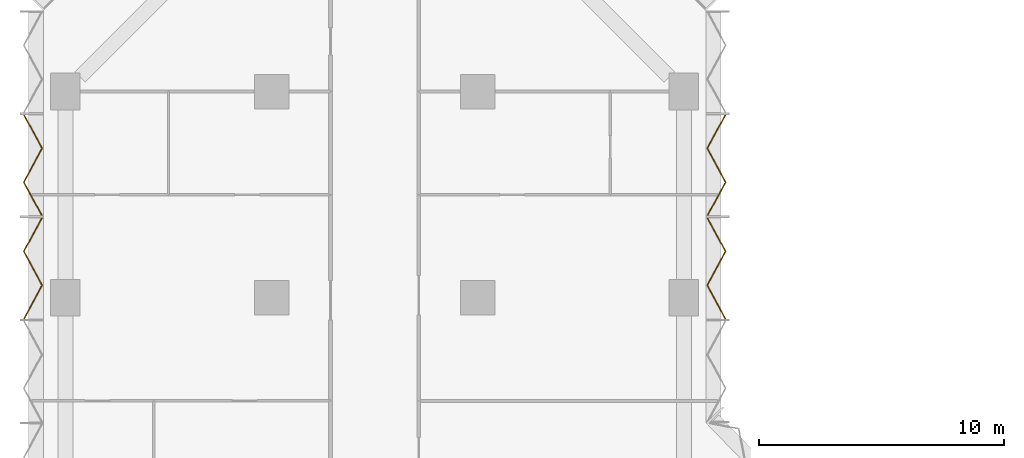
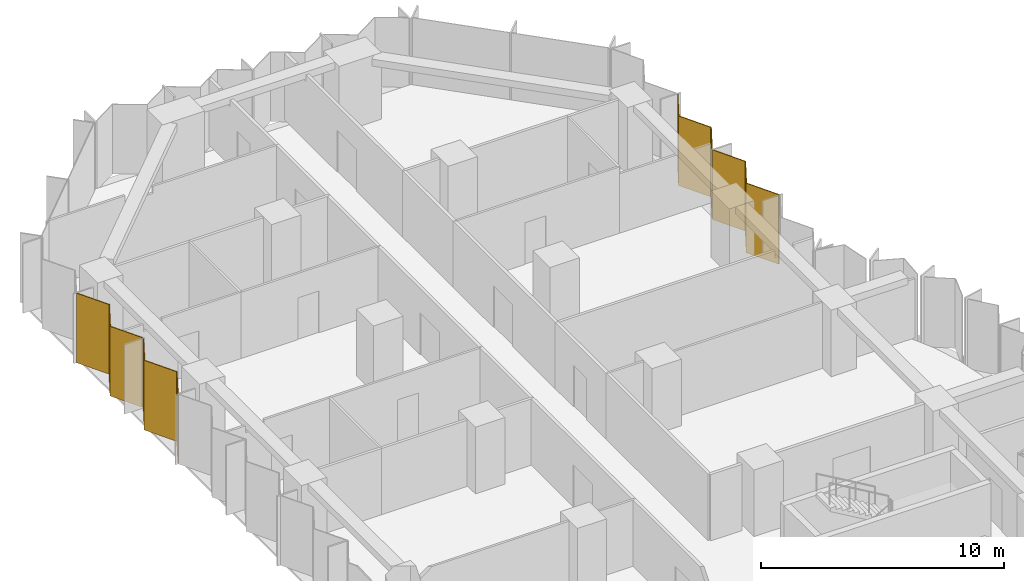
# One storey, part 15 of 15: 4 coverings, 2 elements without a shape of their own.
"""IFC4 building model written with IfcOpenShell, lengths in metres."""

from ifc_helpers import new_model, si_unit, direction, frame, origin, place, context, subcontext, project, spatial, polyline, outline, extrude, material, layer, layer_set, type_object, element, aggregate, save


model = new_model("IFC4")

# Units and contexts
model_context = context("Model", 3, precision=1e-05, world=origin(), true_north=direction((0.0, 1.0)))
body_context = subcontext(model_context, "Body", "Model", "MODEL_VIEW")
ifc_project = project(units=[si_unit("LENGTHUNIT", "METRE"), si_unit("AREAUNIT", "SQUARE_METRE"), si_unit("VOLUMEUNIT", "CUBIC_METRE"), si_unit("PLANEANGLEUNIT", "RADIAN"), si_unit("MASSUNIT", "GRAM", prefix="KILO")], contexts=[model_context])

# Site, building, storey
site_placement = place(None, origin())
site = spatial("IfcSite", under=ifc_project, at=site_placement, CompositionType="ELEMENT")
building_placement = place(site_placement, origin())
building = spatial("IfcBuilding", under=site, at=building_placement, Name="Brevane Broadcast Tower", CompositionType="ELEMENT")
storey_placement = place(building_placement, frame((0.0, 0.0, 61.699951171875)))
storey = spatial("IfcBuildingStorey", under=building, at=storey_placement, Name="L13", CompositionType="ELEMENT", Elevation=61.699951171875)

# Curtain wall, coverings
ifc_material_1 = material(Name="Aluminium 6063-T6 bronze anodised", Category="aluminium")
curtain_wall_type = type_object("IfcCurtainWallType", Name="CW-1 curtain wall", PredefinedType="NOTDEFINED", material=ifc_material_1)
curtain_wall_1_placement = place(storey_placement, origin())
curtain_wall_1 = element("IfcCurtainWall", 1, at=curtain_wall_1_placement, inside=storey, type_object=curtain_wall_type, Name="CW-1 typical tilted unit L13 north arm east face", PredefinedType="NOTDEFINED")
ifc_material_2 = material(Name="Back-painted bronze glass shadow-box", Category="glass")
ifc_layer = layer(ifc_material_2, 0.0400390625)
ifc_layer_set = layer_set([ifc_layer], Name="Shadow-box panel 40")
covering_type = type_object("IfcCoveringType", Name="Shadow-box panel 40", PredefinedType="CLADDING", material=ifc_layer_set)
covering_1_placement = place(storey_placement, frame((0.0, 0.0, -0.14990234375)))
covering_1 = element("IfcCovering", 2, at=covering_1_placement, type_object=covering_type, Name="Shadow-box panel", PredefinedType="CLADDING", context=body_context, shape_type="SweptSolid", body=[
    extrude(outline(polyline([(26.87158203125, 49.534912109375), (26.9169921875, 49.534912109375), (26.172607421875, 50.91162109375), (26.9169921875, 52.288330078125), (26.172607421875, 53.6650390625), (26.127197265625, 53.6650390625), (26.87158203125, 52.288330078125), (26.127197265625, 50.91162109375), (26.87158203125, 49.534912109375)])), origin(), (0.0, 0.0, 1.0), 3.5),
])
covering_2_placement = place(storey_placement, frame((0.0, 0.0, -0.14990234375)))
covering_2 = element("IfcCovering", 3, at=covering_2_placement, type_object=covering_type, Name="Shadow-box panel", PredefinedType="CLADDING", context=body_context, shape_type="SweptSolid", body=[
    extrude(outline(polyline([(26.127197265625, 53.735107421875), (26.172607421875, 53.735107421875), (26.9169921875, 55.11181640625), (26.172607421875, 56.48828125), (26.9169921875, 57.864990234375), (26.87158203125, 57.864990234375), (26.127197265625, 56.48828125), (26.87158203125, 55.11181640625), (26.127197265625, 53.735107421875)])), origin(), (0.0, 0.0, 1.0), 3.5),
])
aggregate(curtain_wall_1, [covering_1, covering_2])

curtain_wall_2_placement = place(storey_placement, origin())
curtain_wall_2 = element("IfcCurtainWall", 4, at=curtain_wall_2_placement, inside=storey, type_object=curtain_wall_type, Name="CW-1 typical tilted unit L13 west face", PredefinedType="NOTDEFINED")
covering_3_placement = place(storey_placement, frame((0.0, 0.0, -0.14990234375)))
covering_3 = element("IfcCovering", 5, at=covering_3_placement, type_object=covering_type, Name="Shadow-box panel", PredefinedType="CLADDING", context=body_context, shape_type="SweptSolid", body=[
    extrude(outline(polyline([(-1.671630859375, 57.864990234375), (-1.717041015625, 57.864990234375), (-0.97265625, 56.48828125), (-1.717041015625, 55.11181640625), (-0.97265625, 53.735107421875), (-0.92724609375, 53.735107421875), (-1.671630859375, 55.11181640625), (-0.92724609375, 56.48828125), (-1.671630859375, 57.864990234375)])), origin(), (0.0, 0.0, 1.0), 3.5),
])
covering_4_placement = place(storey_placement, frame((0.0, 0.0, -0.14990234375)))
covering_4 = element("IfcCovering", 6, at=covering_4_placement, type_object=covering_type, Name="Shadow-box panel", PredefinedType="CLADDING", context=body_context, shape_type="SweptSolid", body=[
    extrude(outline(polyline([(-0.92724609375, 53.6650390625), (-0.97265625, 53.6650390625), (-1.717041015625, 52.288330078125), (-0.97265625, 50.91162109375), (-1.717041015625, 49.534912109375), (-1.671630859375, 49.534912109375), (-0.92724609375, 50.91162109375), (-1.671630859375, 52.288330078125), (-0.92724609375, 53.6650390625)])), origin(), (0.0, 0.0, 1.0), 3.5),
])
aggregate(curtain_wall_2, [covering_3, covering_4])

save(model, "model.ifc")
